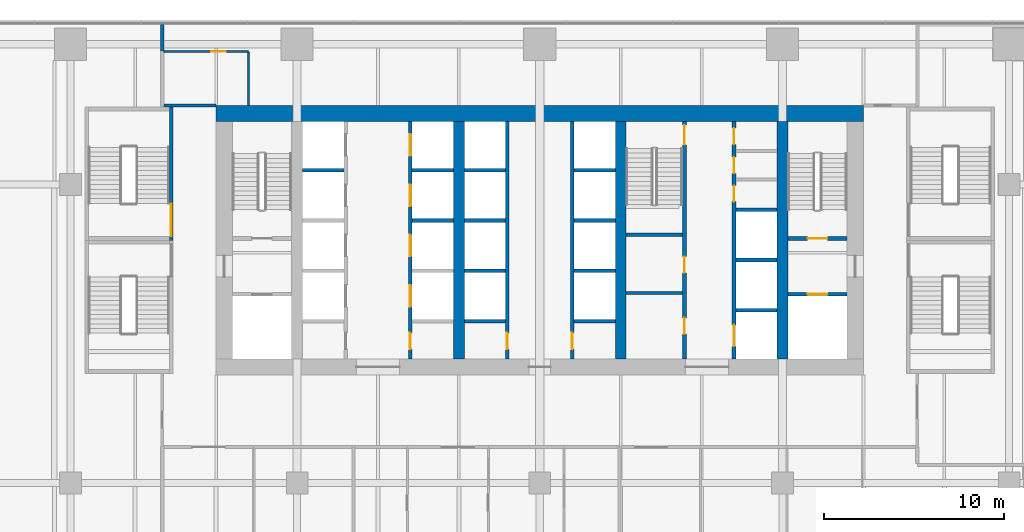
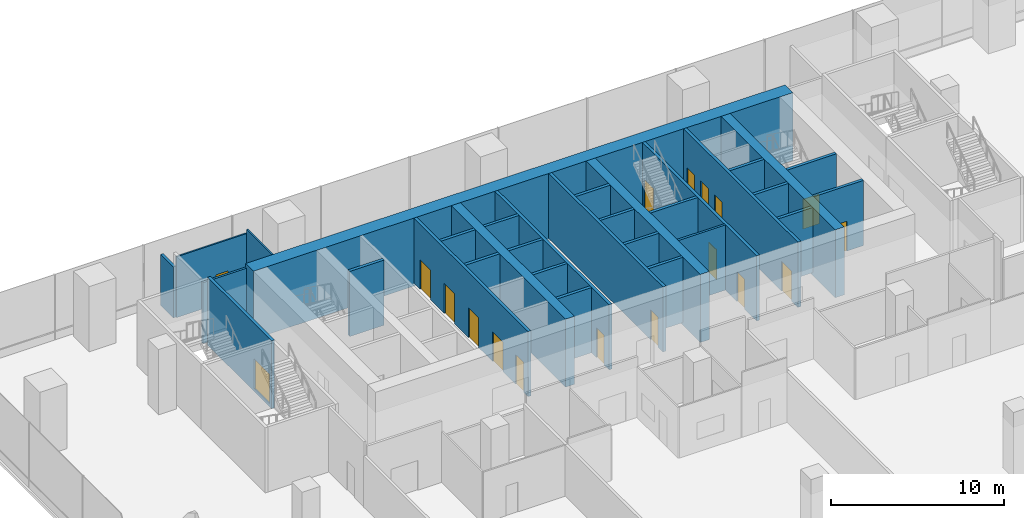
# One storey, part 21 of 29: 32 walls, 18 doors, 18 openings.
"""IFC4 building model written with IfcOpenShell, lengths in metres."""

from ifc_helpers import new_model, si_unit, direction, frame, frame_2d, origin, place, context, subcontext, project, spatial, rectangle, extrude, material, layer, layer_set, type_object, element, fill, save


model = new_model("IFC4")

# Units and contexts
model_context = context("Model", 3, precision=1e-05, world=origin(), true_north=direction((0.0, 1.0)))
body_context = subcontext(model_context, "Body", "Model", "MODEL_VIEW")
ifc_project = project(units=[si_unit("LENGTHUNIT", "METRE"), si_unit("AREAUNIT", "SQUARE_METRE"), si_unit("VOLUMEUNIT", "CUBIC_METRE"), si_unit("PLANEANGLEUNIT", "RADIAN"), si_unit("MASSUNIT", "GRAM", prefix="KILO")], contexts=[model_context])

# Site, building, storey
site_placement = place(None, origin())
site = spatial("IfcSite", under=ifc_project, at=site_placement, CompositionType="ELEMENT")
building_placement = place(site_placement, origin())
building = spatial("IfcBuilding", under=site, at=building_placement, Name="Rattan Terrace Tower", CompositionType="ELEMENT")
storey_placement = place(building_placement, frame((0.0, 0.0, 12.60009765625)))
storey = spatial("IfcBuildingStorey", under=building, at=storey_placement, Name="L02", CompositionType="ELEMENT", Elevation=12.60009765625)

# Wall
ifc_material_1 = material(Name="Gypsum board partition")
ifc_layer_1 = layer(ifc_material_1, 0.14990234375)
ifc_layer_set_1 = layer_set([ifc_layer_1], Name="Core partition 150")
wall_type_1 = type_object("IfcWallType", Name="Core partition 150", PredefinedType="PARTITIONING", material=ifc_layer_set_1)
wall_1_placement = place(storey_placement, frame((4.800048828125, -2.927978515625, 0.0), z_axis=(0.0, 0.0, 1.0), x_axis=(1.0, 0.0, 0.0)))
element("IfcWall", 1, at=wall_1_placement, inside=storey, type_object=wall_type_1, Name="Toilet wall", PredefinedType="PARTITIONING", context=body_context, shape_type="SweptSolid", body=[
    extrude(rectangle(XDim=3.14990234375, YDim=0.14990234375, at=frame_2d((1.574951171875, 0.0))), origin(), (0.0, 0.0, 1.0), 4.599853515625),
])

# Wall, opening, door
ifc_material_2 = material(Name="Gypsum board partition")
ifc_layer_2 = layer(ifc_material_2, 0.199951171875)
ifc_layer_set_2 = layer_set([ifc_layer_2], Name="Core partition 200")
wall_type_2 = type_object("IfcWallType", Name="Core partition 200", PredefinedType="PARTITIONING", material=ifc_layer_set_2)
wall_2_placement = place(storey_placement, frame((13.800048828125, -3.0, 0.0), z_axis=(0.0, 0.0, 1.0), x_axis=(1.0, 0.0, 0.0)))
wall_2 = element("IfcWall", 2, at=wall_2_placement, inside=storey, type_object=wall_type_2, Name="Fire-fighting lobby wall", PredefinedType="PARTITIONING", context=body_context, shape_type="SweptSolid", body=[
    extrude(rectangle(XDim=3.300048828125, YDim=0.199951171875, at=frame_2d((1.64990234375, 0.0))), origin(), (0.0, 0.0, 1.0), 4.599853515625),
])
opening_1_placement = place(wall_2_placement, frame((1.10009765625, 0.0, 0.0)))
opening_1 = element("IfcOpeningElement", 3, at=opening_1_placement, cuts=wall_2, Name="Opening L02-LD-FF2", PredefinedType="OPENING", context=body_context, shape_type="SweptSolid", body=[
    extrude(rectangle(XDim=1.10009765625, YDim=2.10009765625, at=frame_2d((0.550048828125, 1.050048828125))), frame((0.0, 0.110595703125, 0.0), z_axis=(0.0, -1.0, 0.0), x_axis=(1.0, 0.0, 0.0)), (0.0, 0.0, 1.0), 0.220947265625),
])
ifc_material_3 = material(Name="Brushed stainless landing door panel")
door_type_1 = type_object("IfcDoorType", Name="Core lift landing door 1100", OperationType="DOUBLE_DOOR_SLIDING", PredefinedType="DOOR", material=ifc_material_3)
door_1_placement = place(opening_1_placement, origin())
door_1 = element("IfcDoor", 4, at=door_1_placement, inside=storey, type_object=door_type_1, Name="Door L02-LD-FF2", OperationType="DOUBLE_DOOR_SLIDING", OverallHeight=2.10009765625, OverallWidth=1.10009765625, PredefinedType="DOOR", context=body_context, shape_type="SweptSolid", body=[
    extrude(rectangle(XDim=1.10009765625, YDim=2.10009765625, at=frame_2d((0.550048828125, 1.050048828125))), frame((0.0, 0.02490234375, 0.0), z_axis=(0.0, -1.0, 0.0), x_axis=(1.0, 0.0, 0.0)), (0.0, 0.0, 1.0), 0.050048828125),
])
fill(opening_1, door_1)

wall_3_placement = place(storey_placement, frame((13.800048828125, 0.10009765625, 0.0), z_axis=(0.0, 0.0, 1.0), x_axis=(1.0, 0.0, 0.0)))
wall_3 = element("IfcWall", 5, at=wall_3_placement, inside=storey, type_object=wall_type_2, Name="Stair enclosure wall", PredefinedType="PARTITIONING", context=body_context, shape_type="SweptSolid", body=[
    extrude(rectangle(XDim=3.300048828125, YDim=0.199951171875, at=frame_2d((1.64990234375, 0.0))), origin(), (0.0, 0.0, 1.0), 4.599853515625),
])
opening_2_placement = place(wall_3_placement, frame((1.10009765625, 0.0, 0.0)))
opening_2 = element("IfcOpeningElement", 6, at=opening_2_placement, cuts=wall_3, Name="Opening L02-D004", PredefinedType="OPENING", context=body_context, shape_type="SweptSolid", body=[
    extrude(rectangle(XDim=1.10009765625, YDim=2.10009765625, at=frame_2d((0.550048828125, 1.050048828125))), frame((0.0, 0.110595703125, 0.0), z_axis=(0.0, -1.0, 0.0), x_axis=(1.0, 0.0, 0.0)), (0.0, 0.0, 1.0), 0.220947265625),
])
ifc_material_4 = material(Name="Hollow-metal fire door leaf")
door_type_2 = type_object("IfcDoorType", Name="Core stair door 1100", OperationType="NOTDEFINED", PredefinedType="DOOR", material=ifc_material_4)
door_2_placement = place(opening_2_placement, origin())
door_2 = element("IfcDoor", 7, at=door_2_placement, inside=storey, type_object=door_type_2, Name="Door L02-D004", OperationType="SINGLE_SWING_RIGHT", OverallHeight=2.10009765625, OverallWidth=1.10009765625, PredefinedType="DOOR", context=body_context, shape_type="SweptSolid", body=[
    extrude(rectangle(XDim=1.10009765625, YDim=2.10009765625, at=frame_2d((0.550048828125, 1.050048828125))), frame((0.0, 0.02490234375, 0.0), z_axis=(0.0, -1.0, 0.0), x_axis=(1.0, 0.0, 0.0)), (0.0, 0.0, 1.0), 0.050048828125),
])
fill(opening_2, door_2)

# Wall, openings, doors
wall_4_placement = place(storey_placement, frame((8.050048828125, -6.60009765625, 0.0), z_axis=(0.0, 0.0, 1.0), x_axis=(0.0, 1.0, 0.0)))
wall_4 = element("IfcWall", 8, at=wall_4_placement, inside=storey, type_object=wall_type_2, Name="Lobby wall west", PredefinedType="PARTITIONING", context=body_context, shape_type="SweptSolid", body=[
    extrude(rectangle(XDim=13.2001953125, YDim=0.199951171875, at=frame_2d((6.60009765625, 0.0))), origin(), (0.0, 0.0, 1.0), 4.599853515625),
])
opening_3_placement = place(wall_4_placement, frame((1.385986328125, 0.0, 0.0)))
opening_3 = element("IfcOpeningElement", 9, at=opening_3_placement, cuts=wall_4, Name="Opening L02-D011", PredefinedType="OPENING", context=body_context, shape_type="SweptSolid", body=[
    extrude(rectangle(XDim=0.89990234375, YDim=2.10009765625, at=frame_2d((0.449951171875, 1.050048828125))), frame((0.0, 0.110595703125, 0.0), z_axis=(0.0, -1.0, 0.0), x_axis=(1.0, 0.0, 0.0)), (0.0, 0.0, 1.0), 0.220947265625),
])
opening_4_placement = place(wall_4_placement, frame((4.785888671875, 0.0, 0.0)))
opening_4 = element("IfcOpeningElement", 10, at=opening_4_placement, cuts=wall_4, Name="Opening L02-D012", PredefinedType="OPENING", context=body_context, shape_type="SweptSolid", body=[
    extrude(rectangle(XDim=0.89990234375, YDim=2.10009765625, at=frame_2d((0.449951171875, 1.050048828125))), frame((0.0, 0.110595703125, 0.0), z_axis=(0.0, -1.0, 0.0), x_axis=(1.0, 0.0, 0.0)), (0.0, 0.0, 1.0), 0.220947265625),
])
opening_5_placement = place(wall_4_placement, frame((11.89990234375, 0.0, 0.0)))
opening_5 = element("IfcOpeningElement", 11, at=opening_5_placement, cuts=wall_4, Name="Opening L02-D013", PredefinedType="OPENING", context=body_context, shape_type="SweptSolid", body=[
    extrude(rectangle(XDim=1.10009765625, YDim=2.10009765625, at=frame_2d((0.550048828125, 1.050048828125))), frame((0.0, 0.110595703125, 0.0), z_axis=(0.0, -1.0, 0.0), x_axis=(1.0, 0.0, 0.0)), (0.0, 0.0, 1.0), 0.220947265625),
])
door_3_placement = place(opening_5_placement, origin())
door_3 = element("IfcDoor", 12, at=door_3_placement, inside=storey, type_object=door_type_2, Name="Door L02-D013", OperationType="SINGLE_SWING_RIGHT", OverallHeight=2.10009765625, OverallWidth=1.10009765625, PredefinedType="DOOR", context=body_context, shape_type="SweptSolid", body=[
    extrude(rectangle(XDim=1.10009765625, YDim=2.10009765625, at=frame_2d((0.550048828125, 1.050048828125))), frame((0.0, 0.02490234375, 0.0), z_axis=(0.0, -1.0, 0.0), x_axis=(1.0, 0.0, 0.0)), (0.0, 0.0, 1.0), 0.050048828125),
])
fill(opening_5, door_3)
ifc_material_5 = material(Name="Hollow-metal fire door leaf")
door_type_3 = type_object("IfcDoorType", Name="Core toilet door 900", OperationType="NOTDEFINED", PredefinedType="DOOR", material=ifc_material_5)
door_4_placement = place(opening_3_placement, origin())
door_4 = element("IfcDoor", 13, at=door_4_placement, inside=storey, type_object=door_type_3, Name="Door L02-D011", OperationType="SINGLE_SWING_RIGHT", OverallHeight=2.10009765625, OverallWidth=0.89990234375, PredefinedType="DOOR", context=body_context, shape_type="SweptSolid", body=[
    extrude(rectangle(XDim=0.89990234375, YDim=2.10009765625, at=frame_2d((0.449951171875, 1.050048828125))), frame((0.0, 0.02490234375, 0.0), z_axis=(0.0, -1.0, 0.0), x_axis=(1.0, 0.0, 0.0)), (0.0, 0.0, 1.0), 0.050048828125),
])
fill(opening_3, door_4)
door_5_placement = place(opening_4_placement, origin())
door_5 = element("IfcDoor", 14, at=door_5_placement, inside=storey, type_object=door_type_3, Name="Door L02-D012", OperationType="SINGLE_SWING_LEFT", OverallHeight=2.10009765625, OverallWidth=0.89990234375, PredefinedType="DOOR", context=body_context, shape_type="SweptSolid", body=[
    extrude(rectangle(XDim=0.89990234375, YDim=2.10009765625, at=frame_2d((0.449951171875, 1.050048828125))), frame((0.0, 0.02490234375, 0.0), z_axis=(0.0, -1.0, 0.0), x_axis=(1.0, 0.0, 0.0)), (0.0, 0.0, 1.0), 0.050048828125),
])
fill(opening_4, door_5)

# Walls
wall_5_placement = place(storey_placement, frame((4.800048828125, 0.300048828125, 0.0), z_axis=(0.0, 0.0, 1.0), x_axis=(1.0, 0.0, 0.0)))
element("IfcWall", 15, at=wall_5_placement, inside=storey, type_object=wall_type_2, Name="Stair enclosure wall", PredefinedType="PARTITIONING", context=body_context, shape_type="SweptSolid", body=[
    extrude(rectangle(XDim=3.14990234375, YDim=0.199951171875, at=frame_2d((1.574951171875, 0.0))), origin(), (0.0, 0.0, 1.0), 4.599853515625),
])
ifc_material_6 = material(Name="Concrete C70/85", Category="concrete")
ifc_layer_3 = layer(ifc_material_6, 0.89990234375)
ifc_layer_set_3 = layer_set([ifc_layer_3], Name="Core ring wall 900 C70/85")
wall_type_3 = type_object("IfcWallType", Name="Core ring wall 900 C70/85", PredefinedType="SHEAR", material=ifc_layer_set_3)
wall_6_placement = place(storey_placement, frame((-18.0, 7.050048828125, -0.2001953125), z_axis=(0.0, 0.0, 1.0), x_axis=(1.0, 0.0, 0.0)))
element("IfcWall", 16, at=wall_6_placement, inside=storey, type_object=wall_type_3, Name="Rear core wall north", PredefinedType="SHEAR", context=body_context, shape_type="SweptSolid", body=[
    extrude(rectangle(XDim=36.0, YDim=0.89990234375, at=frame_2d((18.0, 0.0))), origin(), (0.0, 0.0, 1.0), 4.800048828125),
])
ifc_material_7 = material(Name="Concrete C70/85", Category="concrete")
ifc_layer_4 = layer(ifc_material_7, 0.60009765625)
ifc_layer_set_4 = layer_set([ifc_layer_4], Name="Core spine wall 600 C70/85")
wall_type_4 = type_object("IfcWallType", Name="Core spine wall 600 C70/85", PredefinedType="SHEAR", material=ifc_layer_set_4)
for number, where, z_axis, x_axis, name in (
    (17, (-4.5, -6.60009765625, -0.2001953125), (0.0, 0.0, 1.0), (0.0, 1.0, 0.0), "Core spine wall 2"),
    (18, (4.5, -6.60009765625, -0.2001953125), (0.0, 0.0, 1.0), (0.0, 1.0, 0.0), "Core spine wall 3"),
    (19, (13.5, -6.60009765625, -0.2001953125), (0.0, 0.0, 1.0), (0.0, 1.0, 0.0), "Core spine wall 4"),
):
    element("IfcWall", number, at=place(storey_placement, frame(where, z_axis=z_axis, x_axis=x_axis)), inside=storey, type_object=wall_type_4, Name=name, PredefinedType="SHEAR", context=body_context, shape_type="SweptSolid", body=[
        extrude(rectangle(XDim=13.2001953125, YDim=0.60009765625, at=frame_2d((6.60009765625, 0.0))), origin(), (0.0, 0.0, 1.0), 4.800048828125),
    ])
ifc_material_8 = material(Name="Double steel stud acoustic partition, gypsum board, mineral wool, fire rated", Category="steel")
ifc_layer_5 = layer(ifc_material_8, 0.179931640625)
ifc_layer_set_5 = layer_set([ifc_layer_5], Name="Floors Acoustic Party Wall 180")
wall_type_5 = type_object("IfcWallType", Name="Floors Acoustic Party Wall 180", PredefinedType="PARTITIONING", material=ifc_layer_set_5)
wall_7_placement = place(storey_placement, frame((-21.0, 11.989990234375, 0.0), z_axis=(0.0, 0.0, 1.0), x_axis=(0.0, -1.0, 0.0)))
element("IfcWall", 20, at=wall_7_placement, inside=storey, type_object=wall_type_5, Name="pt-L02-016", PredefinedType="PARTITIONING", context=body_context, shape_type="SweptSolid", body=[
    extrude(rectangle(XDim=1.469970703125, YDim=0.179931640625, at=frame_2d((0.73486328125, 0.0))), origin(), (0.0, 0.0, 1.0), 3.599853515625),
])

# Wall, opening, door
ifc_material_9 = material(Name="Gypsum board partition on steel studs", Category="steel")
ifc_layer_6 = layer(ifc_material_9, 0.10009765625)
ifc_layer_set_6 = layer_set([ifc_layer_6], Name="Floors Partition 100")
wall_type_6 = type_object("IfcWallType", Name="Floors Partition 100", PredefinedType="PARTITIONING", material=ifc_layer_set_6)
wall_8_placement = place(storey_placement, frame((-16.199951171875, 10.5, 0.0), z_axis=(0.0, 0.0, 1.0), x_axis=(-1.0, 0.0, 0.0)))
wall_8 = element("IfcWall", 21, at=wall_8_placement, inside=storey, type_object=wall_type_6, Name="pt-L02-042", PredefinedType="PARTITIONING", context=body_context, shape_type="SweptSolid", body=[
    extrude(rectangle(XDim=4.7099609375, YDim=0.10009765625, at=frame_2d((2.35498046875, 0.0))), origin(), (0.0, 0.0, 1.0), 4.2998046875),
])
opening_6_placement = place(wall_8_placement, frame((1.27294921875, 0.0, 0.0)))
opening_6 = element("IfcOpeningElement", 22, at=opening_6_placement, cuts=wall_8, Name="Opening L02-D113", PredefinedType="OPENING", context=body_context, shape_type="SweptSolid", body=[
    extrude(rectangle(XDim=0.800048828125, YDim=2.10009765625, at=frame_2d((0.39990234375, 1.050048828125))), frame((0.0, 0.060546875, 0.0), z_axis=(0.0, -1.0, 0.0), x_axis=(1.0, 0.0, 0.0)), (0.0, 0.0, 1.0), 0.12109375),
])
ifc_material_10 = material(Name="Solid core timber door, painted", Category="wood")
door_type_4 = type_object("IfcDoorType", Name="Floors Store Door 800x2100", OperationType="NOTDEFINED", PredefinedType="DOOR", material=ifc_material_10)
door_6_placement = place(opening_6_placement, origin())
door_6 = element("IfcDoor", 23, at=door_6_placement, inside=storey, type_object=door_type_4, Name="d-L02-113", OperationType="SINGLE_SWING_LEFT", OverallHeight=2.10009765625, OverallWidth=0.800048828125, PredefinedType="DOOR", context=body_context, shape_type="SweptSolid", body=[
    extrude(rectangle(XDim=0.800048828125, YDim=2.10009765625, at=frame_2d((0.39990234375, 1.050048828125))), frame((0.0, 0.02490234375, 0.0), z_axis=(0.0, -1.0, 0.0), x_axis=(1.0, 0.0, 0.0)), (0.0, 0.0, 1.0), 0.050048828125),
])
fill(opening_6, door_6)

# Walls
wall_9_placement = place(storey_placement, frame((-16.199951171875, 7.5, 0.0), z_axis=(0.0, 0.0, 1.0), x_axis=(0.0, 1.0, 0.0)))
element("IfcWall", 24, at=wall_9_placement, inside=storey, type_object=wall_type_6, Name="pt-L02-043", PredefinedType="PARTITIONING", context=body_context, shape_type="SweptSolid", body=[
    extrude(rectangle(XDim=2.949951171875, YDim=0.10009765625, at=frame_2d((1.47509765625, 0.0))), origin(), (0.0, 0.0, 1.0), 4.599853515625),
])
ifc_material_11 = material(Name="Gypsum board partition on steel studs, fire rated", Category="steel")
ifc_layer_7 = layer(ifc_material_11, 0.14990234375)
ifc_layer_set_7 = layer_set([ifc_layer_7], Name="Floors Tenancy Wall 150")
wall_type_7 = type_object("IfcWallType", Name="Floors Tenancy Wall 150", PredefinedType="PARTITIONING", material=ifc_layer_set_7)
wall_10_placement = place(storey_placement, frame((-20.909912109375, 7.4990234375, 0.0), z_axis=(0.0, 0.0, 1.0), x_axis=(1.0, 0.0, 0.0)))
element("IfcWall", 25, at=wall_10_placement, inside=storey, type_object=wall_type_7, Name="pt-L02-014", PredefinedType="PARTITIONING", context=body_context, shape_type="SweptSolid", body=[
    extrude(rectangle(XDim=2.909912109375, YDim=0.14990234375, at=frame_2d((1.455078125, 0.0))), origin(), (0.0, 0.0, 1.0), 4.2998046875),
])

# Wall, openings, doors
ifc_material_12 = material(Name="Gypsum shaft wall system")
ifc_layer_8 = layer(ifc_material_12, 0.199951171875)
ifc_layer_set_8 = layer_set([ifc_layer_8], Name="Lift shaft wall 200")
wall_type_8 = type_object("IfcWallType", Name="Lift shaft wall 200", PredefinedType="PARTITIONING", material=ifc_layer_set_8)
wall_11_placement = place(storey_placement, frame((-7.199951171875, -6.60009765625, 0.0), z_axis=(0.0, 0.0, 1.0), x_axis=(0.0, 1.0, 0.0)))
wall_11 = element("IfcWall", 26, at=wall_11_placement, inside=storey, type_object=wall_type_8, Name="Lift shaft front wall", PredefinedType="PARTITIONING", context=body_context, shape_type="SweptSolid", body=[
    extrude(rectangle(XDim=13.2001953125, YDim=0.199951171875, at=frame_2d((6.60009765625, 0.0))), origin(), (0.0, 0.0, 1.0), 4.599853515625),
])
opening_7_placement = place(wall_11_placement, frame((0.550048828125, 0.0, 0.0)))
opening_7 = element("IfcOpeningElement", 27, at=opening_7_placement, cuts=wall_11, Name="Opening L02-D006", PredefinedType="OPENING", context=body_context, shape_type="SweptSolid", body=[
    extrude(rectangle(XDim=0.89990234375, YDim=2.10009765625, at=frame_2d((0.449951171875, 1.050048828125))), frame((0.0, 0.110595703125, 0.0), z_axis=(0.0, -1.0, 0.0), x_axis=(1.0, 0.0, 0.0)), (0.0, 0.0, 1.0), 0.220947265625),
])
opening_8_placement = place(wall_11_placement, frame((2.89990234375, 0.0, 0.0)))
opening_8 = element("IfcOpeningElement", 28, at=opening_8_placement, cuts=wall_11, Name="Opening L02-LD-LR5", PredefinedType="OPENING", context=body_context, shape_type="SweptSolid", body=[
    extrude(rectangle(XDim=1.199951171875, YDim=2.10009765625, at=frame_2d((0.60009765625, 1.050048828125))), frame((0.0, 0.110595703125, 0.0), z_axis=(0.0, -1.0, 0.0), x_axis=(1.0, 0.0, 0.0)), (0.0, 0.0, 1.0), 0.220947265625),
])
opening_9_placement = place(wall_11_placement, frame((5.699951171875, 0.0, 0.0)))
opening_9 = element("IfcOpeningElement", 29, at=opening_9_placement, cuts=wall_11, Name="Opening L02-LD-LR6", PredefinedType="OPENING", context=body_context, shape_type="SweptSolid", body=[
    extrude(rectangle(XDim=1.199951171875, YDim=2.10009765625, at=frame_2d((0.60009765625, 1.050048828125))), frame((0.0, 0.110595703125, 0.0), z_axis=(0.0, -1.0, 0.0), x_axis=(1.0, 0.0, 0.0)), (0.0, 0.0, 1.0), 0.220947265625),
])
opening_10_placement = place(wall_11_placement, frame((8.5, 0.0, 0.0)))
opening_10 = element("IfcOpeningElement", 30, at=opening_10_placement, cuts=wall_11, Name="Opening L02-LD-LR7", PredefinedType="OPENING", context=body_context, shape_type="SweptSolid", body=[
    extrude(rectangle(XDim=1.199951171875, YDim=2.10009765625, at=frame_2d((0.60009765625, 1.050048828125))), frame((0.0, 0.110595703125, 0.0), z_axis=(0.0, -1.0, 0.0), x_axis=(1.0, 0.0, 0.0)), (0.0, 0.0, 1.0), 0.220947265625),
])
opening_11_placement = place(wall_11_placement, frame((11.300048828125, 0.0, 0.0)))
opening_11 = element("IfcOpeningElement", 31, at=opening_11_placement, cuts=wall_11, Name="Opening L02-LD-LR8", PredefinedType="OPENING", context=body_context, shape_type="SweptSolid", body=[
    extrude(rectangle(XDim=1.199951171875, YDim=2.10009765625, at=frame_2d((0.60009765625, 1.050048828125))), frame((0.0, 0.110595703125, 0.0), z_axis=(0.0, -1.0, 0.0), x_axis=(1.0, 0.0, 0.0)), (0.0, 0.0, 1.0), 0.220947265625),
])
ifc_material_13 = material(Name="Brushed stainless landing door panel")
door_type_5 = type_object("IfcDoorType", Name="Core lift landing door 1200", OperationType="DOUBLE_DOOR_SLIDING", PredefinedType="DOOR", material=ifc_material_13)
door_7_placement = place(opening_8_placement, origin())
door_7 = element("IfcDoor", 32, at=door_7_placement, inside=storey, type_object=door_type_5, Name="Door L02-LD-LR5", OperationType="DOUBLE_DOOR_SLIDING", OverallHeight=2.10009765625, OverallWidth=1.199951171875, PredefinedType="DOOR", context=body_context, shape_type="SweptSolid", body=[
    extrude(rectangle(XDim=1.199951171875, YDim=2.10009765625, at=frame_2d((0.60009765625, 1.050048828125))), frame((0.0, 0.02490234375, 0.0), z_axis=(0.0, -1.0, 0.0), x_axis=(1.0, 0.0, 0.0)), (0.0, 0.0, 1.0), 0.050048828125),
])
fill(opening_8, door_7)
door_8_placement = place(opening_9_placement, origin())
door_8 = element("IfcDoor", 33, at=door_8_placement, inside=storey, type_object=door_type_5, Name="Door L02-LD-LR6", OperationType="DOUBLE_DOOR_SLIDING", OverallHeight=2.10009765625, OverallWidth=1.199951171875, PredefinedType="DOOR", context=body_context, shape_type="SweptSolid", body=[
    extrude(rectangle(XDim=1.199951171875, YDim=2.10009765625, at=frame_2d((0.60009765625, 1.050048828125))), frame((0.0, 0.02490234375, 0.0), z_axis=(0.0, -1.0, 0.0), x_axis=(1.0, 0.0, 0.0)), (0.0, 0.0, 1.0), 0.050048828125),
])
fill(opening_9, door_8)
door_9_placement = place(opening_10_placement, origin())
door_9 = element("IfcDoor", 34, at=door_9_placement, inside=storey, type_object=door_type_5, Name="Door L02-LD-LR7", OperationType="DOUBLE_DOOR_SLIDING", OverallHeight=2.10009765625, OverallWidth=1.199951171875, PredefinedType="DOOR", context=body_context, shape_type="SweptSolid", body=[
    extrude(rectangle(XDim=1.199951171875, YDim=2.10009765625, at=frame_2d((0.60009765625, 1.050048828125))), frame((0.0, 0.02490234375, 0.0), z_axis=(0.0, -1.0, 0.0), x_axis=(1.0, 0.0, 0.0)), (0.0, 0.0, 1.0), 0.050048828125),
])
fill(opening_10, door_9)
door_10_placement = place(opening_11_placement, origin())
door_10 = element("IfcDoor", 35, at=door_10_placement, inside=storey, type_object=door_type_5, Name="Door L02-LD-LR8", OperationType="DOUBLE_DOOR_SLIDING", OverallHeight=2.10009765625, OverallWidth=1.199951171875, PredefinedType="DOOR", context=body_context, shape_type="SweptSolid", body=[
    extrude(rectangle(XDim=1.199951171875, YDim=2.10009765625, at=frame_2d((0.60009765625, 1.050048828125))), frame((0.0, 0.02490234375, 0.0), z_axis=(0.0, -1.0, 0.0), x_axis=(1.0, 0.0, 0.0)), (0.0, 0.0, 1.0), 0.050048828125),
])
fill(opening_11, door_10)
ifc_material_14 = material(Name="Hollow-metal fire door leaf")
door_type_6 = type_object("IfcDoorType", Name="Core riser door 900", OperationType="NOTDEFINED", PredefinedType="DOOR", material=ifc_material_14)
door_11_placement = place(opening_7_placement, origin())
door_11 = element("IfcDoor", 36, at=door_11_placement, inside=storey, type_object=door_type_6, Name="Door L02-D006", OperationType="SINGLE_SWING_RIGHT", OverallHeight=2.10009765625, OverallWidth=0.89990234375, PredefinedType="DOOR", context=body_context, shape_type="SweptSolid", body=[
    extrude(rectangle(XDim=0.89990234375, YDim=2.10009765625, at=frame_2d((0.449951171875, 1.050048828125))), frame((0.0, 0.02490234375, 0.0), z_axis=(0.0, -1.0, 0.0), x_axis=(1.0, 0.0, 0.0)), (0.0, 0.0, 1.0), 0.050048828125),
])
fill(opening_7, door_11)

# Walls
for number, where, z_axis, x_axis, name in (
    (37, (-13.199951171875, 3.89990234375, 0.0), (0.0, 0.0, 1.0), (1.0, 0.0, 0.0), "Lift shaft wall"),
    (38, (-7.10009765625, 1.10009765625, 0.0), (0.0, 0.0, 1.0), (1.0, 0.0, 0.0), "Lift shaft wall"),
    (39, (-7.10009765625, 3.89990234375, 0.0), (0.0, 0.0, 1.0), (1.0, 0.0, 0.0), "Lift shaft wall"),
):
    element("IfcWall", number, at=place(storey_placement, frame(where, z_axis=z_axis, x_axis=x_axis)), inside=storey, type_object=wall_type_8, Name=name, PredefinedType="PARTITIONING", context=body_context, shape_type="SweptSolid", body=[
        extrude(rectangle(XDim=2.300048828125, YDim=0.199951171875, at=frame_2d((1.14990234375, 0.0))), origin(), (0.0, 0.0, 1.0), 4.599853515625),
    ])

# Wall, opening, door
wall_12_placement = place(storey_placement, frame((-1.800048828125, -6.60009765625, 0.0), z_axis=(0.0, 0.0, 1.0), x_axis=(0.0, 1.0, 0.0)))
wall_12 = element("IfcWall", 40, at=wall_12_placement, inside=storey, type_object=wall_type_8, Name="Lift shaft front wall", PredefinedType="PARTITIONING", context=body_context, shape_type="SweptSolid", body=[
    extrude(rectangle(XDim=13.2001953125, YDim=0.199951171875, at=frame_2d((6.60009765625, 0.0))), origin(), (0.0, 0.0, 1.0), 4.599853515625),
])
opening_12_placement = place(wall_12_placement, frame((0.550048828125, 0.0, 0.0)))
opening_12 = element("IfcOpeningElement", 41, at=opening_12_placement, cuts=wall_12, Name="Opening L02-D008", PredefinedType="OPENING", context=body_context, shape_type="SweptSolid", body=[
    extrude(rectangle(XDim=0.89990234375, YDim=2.10009765625, at=frame_2d((0.449951171875, 1.050048828125))), frame((0.0, 0.110595703125, 0.0), z_axis=(0.0, -1.0, 0.0), x_axis=(1.0, 0.0, 0.0)), (0.0, 0.0, 1.0), 0.220947265625),
])
door_12_placement = place(opening_12_placement, origin())
door_12 = element("IfcDoor", 42, at=door_12_placement, inside=storey, type_object=door_type_6, Name="Door L02-D008", OperationType="SINGLE_SWING_LEFT", OverallHeight=2.10009765625, OverallWidth=0.89990234375, PredefinedType="DOOR", context=body_context, shape_type="SweptSolid", body=[
    extrude(rectangle(XDim=0.89990234375, YDim=2.10009765625, at=frame_2d((0.449951171875, 1.050048828125))), frame((0.0, 0.02490234375, 0.0), z_axis=(0.0, -1.0, 0.0), x_axis=(1.0, 0.0, 0.0)), (0.0, 0.0, 1.0), 0.050048828125),
])
fill(opening_12, door_12)

wall_13_placement = place(storey_placement, frame((1.800048828125, -6.60009765625, 0.0), z_axis=(0.0, 0.0, 1.0), x_axis=(0.0, 1.0, 0.0)))
wall_13 = element("IfcWall", 43, at=wall_13_placement, inside=storey, type_object=wall_type_8, Name="Lift shaft front wall", PredefinedType="PARTITIONING", context=body_context, shape_type="SweptSolid", body=[
    extrude(rectangle(XDim=13.2001953125, YDim=0.199951171875, at=frame_2d((6.60009765625, 0.0))), origin(), (0.0, 0.0, 1.0), 4.599853515625),
])
opening_13_placement = place(wall_13_placement, frame((0.550048828125, 0.0, 0.0)))
opening_13 = element("IfcOpeningElement", 44, at=opening_13_placement, cuts=wall_13, Name="Opening L02-D009", PredefinedType="OPENING", context=body_context, shape_type="SweptSolid", body=[
    extrude(rectangle(XDim=0.89990234375, YDim=2.10009765625, at=frame_2d((0.449951171875, 1.050048828125))), frame((0.0, 0.110595703125, 0.0), z_axis=(0.0, -1.0, 0.0), x_axis=(1.0, 0.0, 0.0)), (0.0, 0.0, 1.0), 0.220947265625),
])
door_13_placement = place(opening_13_placement, origin())
door_13 = element("IfcDoor", 45, at=door_13_placement, inside=storey, type_object=door_type_6, Name="Door L02-D009", OperationType="SINGLE_SWING_RIGHT", OverallHeight=2.10009765625, OverallWidth=0.89990234375, PredefinedType="DOOR", context=body_context, shape_type="SweptSolid", body=[
    extrude(rectangle(XDim=0.89990234375, YDim=2.10009765625, at=frame_2d((0.449951171875, 1.050048828125))), frame((0.0, 0.02490234375, 0.0), z_axis=(0.0, -1.0, 0.0), x_axis=(1.0, 0.0, 0.0)), (0.0, 0.0, 1.0), 0.050048828125),
])
fill(opening_13, door_13)

# Walls
for number, where, z_axis, x_axis, name in (
    (46, (-4.199951171875, -1.699951171875, 0.0), (0.0, 0.0, 1.0), (1.0, 0.0, 0.0), "Lift shaft wall"),
    (47, (-4.199951171875, 1.10009765625, 0.0), (0.0, 0.0, 1.0), (1.0, 0.0, 0.0), "Lift shaft wall"),
    (48, (-4.199951171875, 3.89990234375, 0.0), (0.0, 0.0, 1.0), (1.0, 0.0, 0.0), "Lift shaft wall"),
    (49, (-4.199951171875, -4.5, 0.0), (0.0, 0.0, 1.0), (1.0, 0.0, 0.0), "Lift shaft wall"),
    (50, (1.89990234375, -1.699951171875, 0.0), (0.0, 0.0, 1.0), (1.0, 0.0, 0.0), "Lift shaft wall"),
    (51, (1.89990234375, 1.10009765625, 0.0), (0.0, 0.0, 1.0), (1.0, 0.0, 0.0), "Lift shaft wall"),
    (52, (1.89990234375, 3.89990234375, 0.0), (0.0, 0.0, 1.0), (1.0, 0.0, 0.0), "Lift shaft wall"),
    (53, (1.89990234375, -4.5, 0.0), (0.0, 0.0, 1.0), (1.0, 0.0, 0.0), "Lift shaft wall"),
):
    element("IfcWall", number, at=place(storey_placement, frame(where, z_axis=z_axis, x_axis=x_axis)), inside=storey, type_object=wall_type_8, Name=name, PredefinedType="PARTITIONING", context=body_context, shape_type="SweptSolid", body=[
        extrude(rectangle(XDim=2.300048828125, YDim=0.199951171875, at=frame_2d((1.14990234375, 0.0))), origin(), (0.0, 0.0, 1.0), 4.599853515625),
    ])

# Wall, openings, doors
wall_14_placement = place(storey_placement, frame((10.800048828125, -6.60009765625, 0.0), z_axis=(0.0, 0.0, 1.0), x_axis=(0.0, 1.0, 0.0)))
wall_14 = element("IfcWall", 54, at=wall_14_placement, inside=storey, type_object=wall_type_8, Name="Lift shaft front wall", PredefinedType="PARTITIONING", context=body_context, shape_type="SweptSolid", body=[
    extrude(rectangle(XDim=13.2001953125, YDim=0.199951171875, at=frame_2d((6.60009765625, 0.0))), origin(), (0.0, 0.0, 1.0), 4.599853515625),
])
opening_14_placement = place(wall_14_placement, frame((0.699951171875, 0.0, 0.0)))
opening_14 = element("IfcOpeningElement", 55, at=opening_14_placement, cuts=wall_14, Name="Opening L02-LD-SV1", PredefinedType="OPENING", context=body_context, shape_type="SweptSolid", body=[
    extrude(rectangle(XDim=1.199951171875, YDim=2.10009765625, at=frame_2d((0.60009765625, 1.050048828125))), frame((0.0, 0.110595703125, 0.0), z_axis=(0.0, -1.0, 0.0), x_axis=(1.0, 0.0, 0.0)), (0.0, 0.0, 1.0), 0.220947265625),
])
opening_15_placement = place(wall_14_placement, frame((8.741943359375, 0.0, 0.0)))
opening_15 = element("IfcOpeningElement", 56, at=opening_15_placement, cuts=wall_14, Name="Opening L02-D015", PredefinedType="OPENING", context=body_context, shape_type="SweptSolid", body=[
    extrude(rectangle(XDim=0.89990234375, YDim=2.10009765625, at=frame_2d((0.449951171875, 1.050048828125))), frame((0.0, 0.110595703125, 0.0), z_axis=(0.0, -1.0, 0.0), x_axis=(1.0, 0.0, 0.0)), (0.0, 0.0, 1.0), 0.220947265625),
])
opening_16_placement = place(wall_14_placement, frame((10.325927734375, 0.0, 0.0)))
opening_16 = element("IfcOpeningElement", 57, at=opening_16_placement, cuts=wall_14, Name="Opening L02-D016", PredefinedType="OPENING", context=body_context, shape_type="SweptSolid", body=[
    extrude(rectangle(XDim=0.89990234375, YDim=2.10009765625, at=frame_2d((0.449951171875, 1.050048828125))), frame((0.0, 0.110595703125, 0.0), z_axis=(0.0, -1.0, 0.0), x_axis=(1.0, 0.0, 0.0)), (0.0, 0.0, 1.0), 0.220947265625),
])
opening_17_placement = place(wall_14_placement, frame((11.93408203125, 0.0, 0.0)))
opening_17 = element("IfcOpeningElement", 58, at=opening_17_placement, cuts=wall_14, Name="Opening L02-D017", PredefinedType="OPENING", context=body_context, shape_type="SweptSolid", body=[
    extrude(rectangle(XDim=0.89990234375, YDim=2.10009765625, at=frame_2d((0.449951171875, 1.050048828125))), frame((0.0, 0.110595703125, 0.0), z_axis=(0.0, -1.0, 0.0), x_axis=(1.0, 0.0, 0.0)), (0.0, 0.0, 1.0), 0.220947265625),
])
door_14_placement = place(opening_14_placement, origin())
door_14 = element("IfcDoor", 59, at=door_14_placement, inside=storey, type_object=door_type_5, Name="Door L02-LD-SV1", OperationType="DOUBLE_DOOR_SLIDING", OverallHeight=2.10009765625, OverallWidth=1.199951171875, PredefinedType="DOOR", context=body_context, shape_type="SweptSolid", body=[
    extrude(rectangle(XDim=1.199951171875, YDim=2.10009765625, at=frame_2d((0.60009765625, 1.050048828125))), frame((0.0, 0.02490234375, 0.0), z_axis=(0.0, -1.0, 0.0), x_axis=(1.0, 0.0, 0.0)), (0.0, 0.0, 1.0), 0.050048828125),
])
fill(opening_14, door_14)
door_15_placement = place(opening_15_placement, origin())
door_15 = element("IfcDoor", 60, at=door_15_placement, inside=storey, type_object=door_type_6, Name="Door L02-D015", OperationType="SINGLE_SWING_LEFT", OverallHeight=2.10009765625, OverallWidth=0.89990234375, PredefinedType="DOOR", context=body_context, shape_type="SweptSolid", body=[
    extrude(rectangle(XDim=0.89990234375, YDim=2.10009765625, at=frame_2d((0.449951171875, 1.050048828125))), frame((0.0, 0.02490234375, 0.0), z_axis=(0.0, -1.0, 0.0), x_axis=(1.0, 0.0, 0.0)), (0.0, 0.0, 1.0), 0.050048828125),
])
fill(opening_15, door_15)
door_16_placement = place(opening_16_placement, origin())
door_16 = element("IfcDoor", 61, at=door_16_placement, inside=storey, type_object=door_type_6, Name="Door L02-D016", OperationType="SINGLE_SWING_RIGHT", OverallHeight=2.10009765625, OverallWidth=0.89990234375, PredefinedType="DOOR", context=body_context, shape_type="SweptSolid", body=[
    extrude(rectangle(XDim=0.89990234375, YDim=2.10009765625, at=frame_2d((0.449951171875, 1.050048828125))), frame((0.0, 0.02490234375, 0.0), z_axis=(0.0, -1.0, 0.0), x_axis=(1.0, 0.0, 0.0)), (0.0, 0.0, 1.0), 0.050048828125),
])
fill(opening_16, door_16)
ifc_material_15 = material(Name="Hollow-metal fire door leaf")
door_type_7 = type_object("IfcDoorType", Name="Core service room door 900", OperationType="NOTDEFINED", PredefinedType="DOOR", material=ifc_material_15)
door_17_placement = place(opening_17_placement, origin())
door_17 = element("IfcDoor", 62, at=door_17_placement, inside=storey, type_object=door_type_7, Name="Door L02-D017", OperationType="SINGLE_SWING_LEFT", OverallHeight=2.10009765625, OverallWidth=0.89990234375, PredefinedType="DOOR", context=body_context, shape_type="SweptSolid", body=[
    extrude(rectangle(XDim=0.89990234375, YDim=2.10009765625, at=frame_2d((0.449951171875, 1.050048828125))), frame((0.0, 0.02490234375, 0.0), z_axis=(0.0, -1.0, 0.0), x_axis=(1.0, 0.0, 0.0)), (0.0, 0.0, 1.0), 0.050048828125),
])
fill(opening_17, door_17)

# Walls
for number, where, z_axis, x_axis, name in (
    (63, (10.89990234375, -3.89990234375, 0.0), (0.0, 0.0, 1.0), (1.0, 0.0, 0.0), "Lift shaft wall"),
    (64, (10.89990234375, -1.10009765625, 0.0), (0.0, 0.0, 1.0), (1.0, 0.0, 0.0), "Lift shaft wall"),
    (65, (10.89990234375, 1.699951171875, 0.0), (0.0, 0.0, 1.0), (1.0, 0.0, 0.0), "Lift shaft wall"),
):
    element("IfcWall", number, at=place(storey_placement, frame(where, z_axis=z_axis, x_axis=x_axis)), inside=storey, type_object=wall_type_8, Name=name, PredefinedType="PARTITIONING", context=body_context, shape_type="SweptSolid", body=[
        extrude(rectangle(XDim=2.300048828125, YDim=0.199951171875, at=frame_2d((1.14990234375, 0.0))), origin(), (0.0, 0.0, 1.0), 4.599853515625),
    ])

# Wall, opening, door
ifc_material_16 = material(Name="Concrete C40/50", Category="concrete")
ifc_layer_9 = layer(ifc_material_16, 0.199951171875)
ifc_layer_set_9 = layer_set([ifc_layer_9], Name="Podium exit stair shaft wall 200")
wall_type_9 = type_object("IfcWallType", Name="Podium exit stair shaft wall 200", PredefinedType="SHEAR", material=ifc_layer_set_9)
wall_15_placement = place(storey_placement, frame((-20.5, 7.39990234375, -0.2001953125), z_axis=(0.0, 0.0, 1.0), x_axis=(0.0, -1.0, 0.0)))
wall_15 = element("IfcWall", 66, at=wall_15_placement, inside=storey, type_object=wall_type_9, Name="L02 stair S5 shaft wall", PredefinedType="SHEAR", context=body_context, shape_type="SweptSolid", body=[
    extrude(rectangle(XDim=7.39990234375, YDim=0.199951171875, at=frame_2d((3.699951171875, 0.0))), origin(), (0.0, 0.0, 1.0), 4.800048828125),
])
opening_18_placement = place(wall_15_placement, frame((5.375, 0.0, 0.199951171875)))
opening_18 = element("IfcOpeningElement", 67, at=opening_18_placement, cuts=wall_15, Name="Opening L02-D902", PredefinedType="OPENING", context=body_context, shape_type="SweptSolid", body=[
    extrude(rectangle(XDim=1.800048828125, YDim=2.10009765625, at=frame_2d((0.89990234375, 1.050048828125))), frame((0.0, 0.110595703125, 0.0), z_axis=(0.0, -1.0, 0.0), x_axis=(1.0, 0.0, 0.0)), (0.0, 0.0, 1.0), 0.220947265625),
])
ifc_material_17 = material(Name="Hollow-metal fire door leaf")
door_type_8 = type_object("IfcDoorType", Name="Podium exit stair door pair 1800", OperationType="DOUBLE_DOOR_SINGLE_SWING", PredefinedType="DOOR", material=ifc_material_17)
door_18_placement = place(opening_18_placement, origin())
door_18 = element("IfcDoor", 68, at=door_18_placement, inside=storey, type_object=door_type_8, Name="Door L02-D902", OperationType="DOUBLE_DOOR_SINGLE_SWING", OverallHeight=2.10009765625, OverallWidth=1.800048828125, PredefinedType="DOOR", context=body_context, shape_type="SweptSolid", body=[
    extrude(rectangle(XDim=1.800048828125, YDim=2.10009765625, at=frame_2d((0.89990234375, 1.050048828125))), frame((0.0, 0.02490234375, 0.0), z_axis=(0.0, -1.0, 0.0), x_axis=(1.0, 0.0, 0.0)), (0.0, 0.0, 1.0), 0.050048828125),
])
fill(opening_18, door_18)

save(model, "model.ifc")
